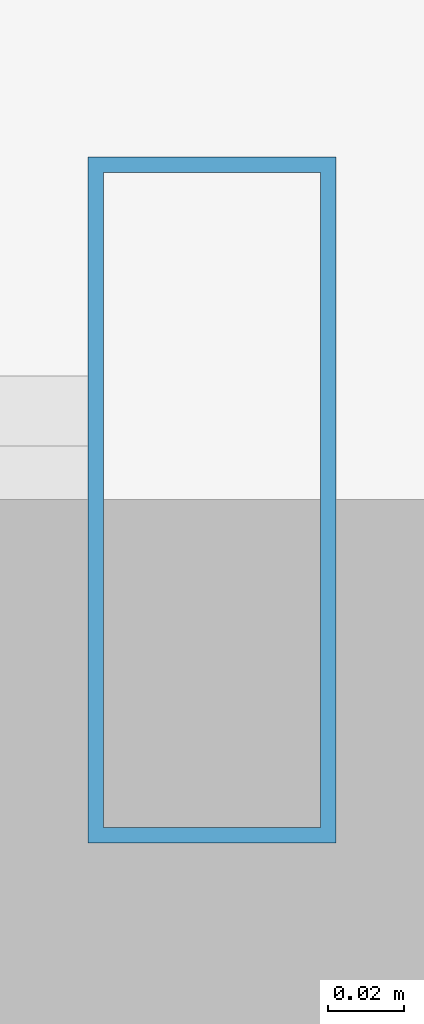
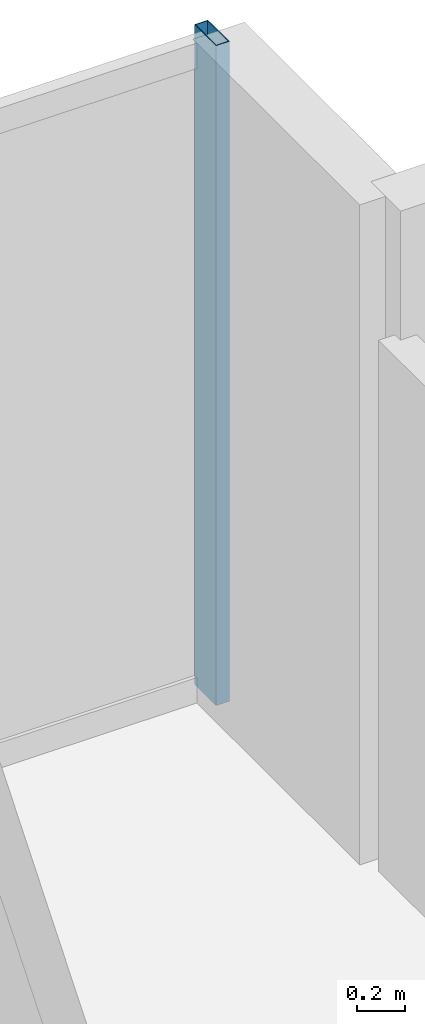
# One storey, part 25 of 40: 1 member, 1 element without a shape of its own.
"""IFC4 building model written with IfcOpenShell, lengths in metres."""

from ifc_helpers import new_model, si_unit, direction, frame, origin, origin_2d, place, context, subcontext, project, spatial, hollow_rectangle, extrude, source, transform, mapped, material, material_profile, profile_set, type_object, element, aggregate, save


model = new_model("IFC4")

# Units and contexts
model_context = context("Model", 3, precision=1e-05, world=origin(), true_north=direction((0.0, 1.0)))
body_context = subcontext(model_context, "Body", "Model", "MODEL_VIEW")
ifc_project = project(units=[si_unit("LENGTHUNIT", "METRE"), si_unit("AREAUNIT", "SQUARE_METRE"), si_unit("VOLUMEUNIT", "CUBIC_METRE"), si_unit("PLANEANGLEUNIT", "RADIAN"), si_unit("MASSUNIT", "GRAM", prefix="KILO")], contexts=[model_context])

# Site, building, storey
site_placement = place(None, origin())
site = spatial("IfcSite", under=ifc_project, at=site_placement, CompositionType="ELEMENT")
building_placement = place(site_placement, origin())
building = spatial("IfcBuilding", under=site, at=building_placement, Name="Nahalor Promenade Grand Hotel", CompositionType="ELEMENT")
storey_placement = place(building_placement, frame((0.0, 0.0, 91.949951171875)))
storey = spatial("IfcBuildingStorey", under=building, at=storey_placement, Name="L22", CompositionType="ELEMENT", Elevation=91.949951171875)

# Curtain wall, member
ifc_material = material(Name="Anodised Bronze Aluminium EN AW-6063 T6", Category="aluminium")
curtain_wall_type = type_object("IfcCurtainWallType", Name="CW2 Typical Hotel Flush Bronze Unitised Curtain Wall", PredefinedType="USERDEFINED", material=ifc_material)
curtain_wall_placement = place(storey_placement, origin())
curtain_wall = element("IfcCurtainWall", 1, at=curtain_wall_placement, inside=storey, type_object=curtain_wall_type, Name="L22 Curtain Wall CW-L22-N-3", ObjectType="UNITISED_CURTAIN_WALL", PredefinedType="USERDEFINED")
ifc_material_profile = material_profile(ifc_material, hollow_rectangle(XDim=0.065, YDim=0.18, WallThickness=0.004, at=origin_2d()), Name="CWM 65x180x4")
ifc_profile_set = profile_set([ifc_material_profile], Name="Anodised Bronze Aluminium EN AW-6063 T6")
member_type = type_object("IfcMemberType", Name="CWM2 Typical Bronze Mullion 65x180", PredefinedType="MULLION", material=ifc_profile_set)
shared_shape = source(origin(), body_context, "Body", "SweptSolid", [
    extrude(hollow_rectangle(XDim=0.065, YDim=0.18, WallThickness=0.004, at=origin_2d()), origin(), (0.0, 0.0, 1.0), 3.380126953125),
])
member_placement = place(storey_placement, frame((21.027587890625, 23.860107421875, 0.0), z_axis=(0.0, 0.0, 1.0), x_axis=(1.0, 0.0, 0.0)))
member = element("IfcMember", 2, at=member_placement, type_object=member_type, Name="CW-L22-N-3 Mullion 2", PredefinedType="MULLION", context=body_context, shape_type="MappedRepresentation", body=[
    mapped(shared_shape, transform((0.0, 0.0, 0.0), scale=1.0)),
])
aggregate(curtain_wall, [member])

save(model, "model.ifc")
